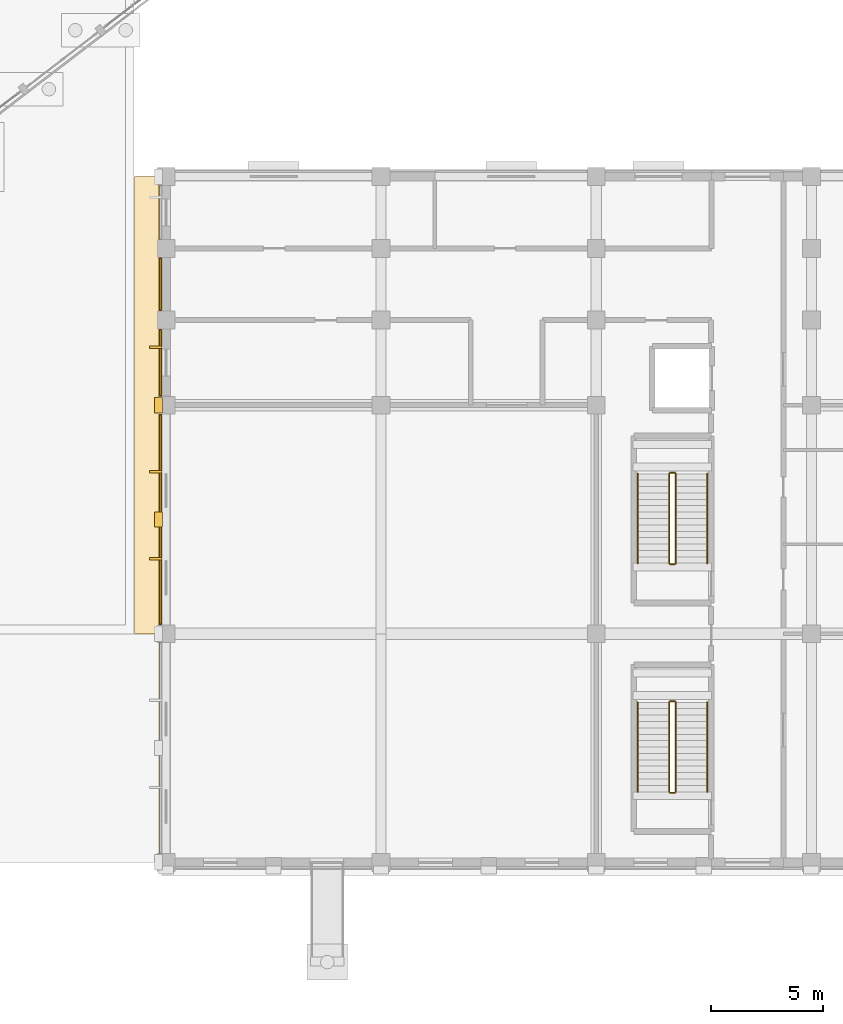
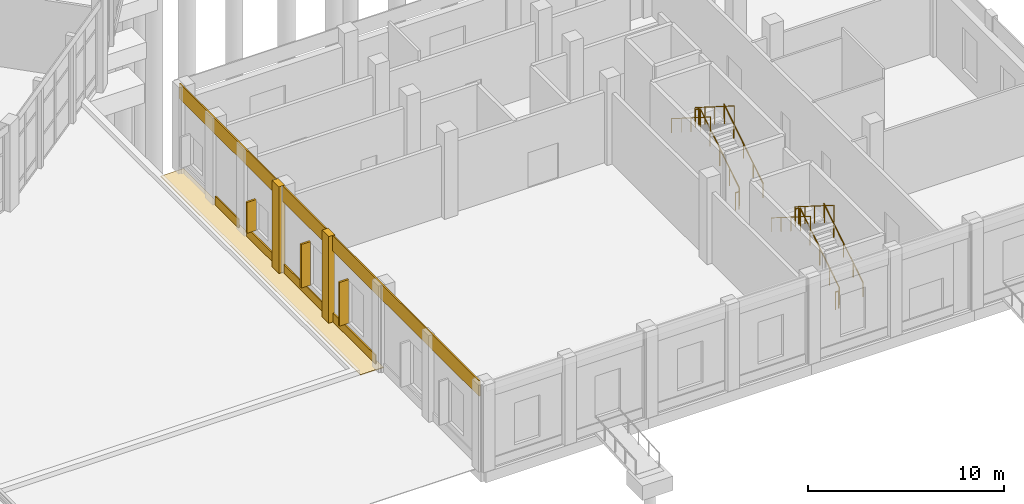
# One storey, part 133 of 137: 12 railings, 7 coverings, 3 shading devices.
"""IFC4 building model written with IfcOpenShell, lengths in metres."""

from ifc_helpers import new_model, si_unit, direction, frame, origin, origin_2d, place, context, subcontext, project, spatial, polyline, rectangle, circle, outline, extrude, material, layer, layer_set, type_object, element, save


model = new_model("IFC4")

# Units and contexts
model_context = context("Model", 3, precision=1e-05, world=origin(), true_north=direction((0.0, 1.0)))
body_context = subcontext(model_context, "Body", "Model", "MODEL_VIEW")
ifc_project = project(units=[si_unit("LENGTHUNIT", "METRE"), si_unit("AREAUNIT", "SQUARE_METRE"), si_unit("VOLUMEUNIT", "CUBIC_METRE"), si_unit("PLANEANGLEUNIT", "RADIAN"), si_unit("MASSUNIT", "GRAM", prefix="KILO")], contexts=[model_context])

# Site, building, storey
site_placement = place(None, origin())
site = spatial("IfcSite", under=ifc_project, at=site_placement, CompositionType="ELEMENT")
building_placement = place(site_placement, origin())
building = spatial("IfcBuilding", under=site, at=building_placement, Name="Vondelvale Polytechnic", CompositionType="ELEMENT")
storey_placement = place(building_placement, origin())
storey = spatial("IfcBuildingStorey", under=building, at=storey_placement, Name="L00", CompositionType="ELEMENT", Elevation=0.0)

# Coverings
ifc_material_1 = material(Name="Malmsbury bluestone ashlar stone masonry", Category="masonry")
ifc_layer_1 = layer(ifc_material_1, 0.080078125)
ifc_layer_set_1 = layer_set([ifc_layer_1], Name="COV-BLUESTONE-PLINTH")
covering_type_1 = type_object("IfcCoveringType", Name="COV-BLUESTONE-PLINTH", PredefinedType="CLADDING", material=ifc_layer_set_1)
covering_1_placement = place(storey_placement, frame((134.139892578125, 15.300048828125, 4.43994140625), z_axis=(0.0, 0.0, 1.0), x_axis=(0.0, 1.0, 0.0)))
element("IfcCovering", 1, at=covering_1_placement, inside=storey, type_object=covering_type_1, Name="L00 exterior masonry spandrel band", PredefinedType="CLADDING", context=body_context, shape_type="SweptSolid", body=[
    extrude(rectangle(XDim=30.60009765625, YDim=0.080078125, at=origin_2d()), origin(), (0.0, 0.0, 1.0), 0.9599609375),
])
covering_2_placement = place(storey_placement, frame((134.1640625, 15.300048828125, 0.0), z_axis=(0.0, 0.0, 1.0), x_axis=(0.0, 1.0, 0.0)))
element("IfcCovering", 2, at=covering_2_placement, inside=storey, type_object=covering_type_1, Name="L00 exterior corbelled masonry relief band", PredefinedType="CLADDING", context=body_context, shape_type="SweptSolid", body=[
    extrude(rectangle(XDim=9.337890625, YDim=0.080078125, at=origin_2d()), origin(), (0.0, 0.0, 1.0), 0.550048828125),
])
covering_3_placement = place(storey_placement, frame((134.1640625, 22.300048828125, 0.0), z_axis=(0.0, 0.0, 1.0), x_axis=(0.0, 1.0, 0.0)))
element("IfcCovering", 3, at=covering_3_placement, inside=storey, type_object=covering_type_1, Name="L00 exterior corbelled masonry relief band", PredefinedType="CLADDING", context=body_context, shape_type="SweptSolid", body=[
    extrude(rectangle(XDim=2.93798828125, YDim=0.080078125, at=origin_2d()), origin(), (0.0, 0.0, 1.0), 0.550048828125),
])
covering_4_placement = place(storey_placement, frame((134.1640625, 25.800048828125, 0.0), z_axis=(0.0, 0.0, 1.0), x_axis=(0.0, 1.0, 0.0)))
element("IfcCovering", 4, at=covering_4_placement, inside=storey, type_object=covering_type_1, Name="L00 exterior corbelled masonry relief band", PredefinedType="CLADDING", context=body_context, shape_type="SweptSolid", body=[
    extrude(rectangle(XDim=2.337890625, YDim=0.080078125, at=origin_2d()), origin(), (0.0, 0.0, 1.0), 0.550048828125),
])
for number, where, z_axis, x_axis, name in (
    (5, (134.06005859375, 15.300048828125, 0.0), (0.0, 0.0, 1.0), (1.0, 0.0, 0.0), "L00 Lecture wing giant-order pilaster W"),
    (6, (134.06005859375, 20.39990234375, 0.0), (0.0, 0.0, 1.0), (1.0, 0.0, 0.0), "L00 Lecture wing giant-order pilaster W"),
):
    element("IfcCovering", number, at=place(storey_placement, frame(where, z_axis=z_axis, x_axis=x_axis)), inside=storey, type_object=covering_type_1, Name=name, PredefinedType="CLADDING", context=body_context, shape_type="SweptSolid", body=[
        extrude(rectangle(XDim=0.360107421875, YDim=0.679931640625, at=origin_2d()), origin(), (0.0, 0.0, 1.0), 5.39990234375),
    ])
ifc_layer_2 = layer(ifc_material_1, 0.050048828125)
ifc_layer_set_2 = layer_set([ifc_layer_2], Name="COV-COURT-PAVING")
covering_type_2 = type_object("IfcCoveringType", Name="COV-COURT-PAVING", PredefinedType="USERDEFINED", material=ifc_layer_set_2)
covering_5_placement = place(storey_placement, frame((0.0, 0.0, -0.050048828125)))
element("IfcCovering", 7, at=covering_5_placement, inside=storey, type_object=covering_type_2, Name="Civic forecourt bluestone esplanade (WLK-E)", ObjectType="PAVING", PredefinedType="USERDEFINED", context=body_context, shape_type="SweptSolid", body=[
    extrude(outline(polyline([(133.0, 10.179931640625), (134.35009765625, 10.179931640625), (134.35009765625, 30.60009765625), (133.0, 30.60009765625), (133.0, 10.179931640625)])), origin(), (0.0, 0.0, 1.0), 0.050048828125),
])

# Railings
ifc_material_2 = material(Name="Brushed architectural stainless and zinc-coated metal")
ifc_layer_3 = layer(ifc_material_2, 0.050048828125)
ifc_layer_set_3 = layer_set([ifc_layer_3], Name="RL-STAIR-GUARD")
railing_type_1 = type_object("IfcRailingType", Name="RL-STAIR-GUARD", PredefinedType="GUARDRAIL", material=ifc_layer_set_3)
railing_1_placement = place(storey_placement, frame((157.14990234375, 3.14990234375, 0.179931640625)))
element("IfcRailing", 8, at=railing_1_placement, inside=storey, type_object=railing_type_1, Name="L00 ST-06 stair guard 1", PredefinedType="GUARDRAIL", context=body_context, shape_type="SweptSolid", body=[
    extrude(circle(Radius=0.02392578125, at=origin_2d()), frame((0.0, 0.0, 1.076171875), z_axis=(0.0, 0.845486444383, 0.533996884227), x_axis=(-1.0, 0.0, 0.0)), (0.0, 0.0, 1.0), 4.71923828125),
    extrude(circle(Radius=0.02099609375, at=origin_2d()), origin(), (0.0, 0.0, 1.0), 1.052001953125),
    extrude(circle(Radius=0.02099609375, at=origin_2d()), frame((0.0, 0.99755859375, 0.6298828125)), (0.0, 0.0, 1.0), 1.052001953125),
    extrude(circle(Radius=0.02099609375, at=origin_2d()), frame((0.0, 1.9951171875, 1.260009765625)), (0.0, 0.0, 1.0), 1.052001953125),
    extrude(circle(Radius=0.02099609375, at=origin_2d()), frame((0.0, 2.992431640625, 1.89013671875)), (0.0, 0.0, 1.0), 1.052001953125),
    extrude(circle(Radius=0.02099609375, at=origin_2d()), frame((0.0, 3.989990234375, 2.52001953125)), (0.0, 0.0, 1.0), 1.052001953125),
])
railing_2_placement = place(storey_placement, frame((157.10009765625, 7.18994140625, 2.699951171875)))
element("IfcRailing", 9, at=railing_2_placement, inside=storey, type_object=railing_type_1, Name="L00 ST-06 stair guard 2", PredefinedType="GUARDRAIL", context=body_context, shape_type="SweptSolid", body=[
    extrude(circle(Radius=0.02392578125, at=origin_2d()), frame((0.0, 0.0, 1.076171875), z_axis=(-1.0, 0.0, 0.0), x_axis=(0.0, -1.0, 0.0)), (0.0, 0.0, 1.0), 0.2001953125),
    extrude(circle(Radius=0.02099609375, at=origin_2d()), origin(), (0.0, 0.0, 1.0), 1.052001953125),
    extrude(circle(Radius=0.02099609375, at=origin_2d()), frame((-0.2001953125, 0.0, 0.0)), (0.0, 0.0, 1.0), 1.052001953125),
])
railing_3_placement = place(storey_placement, frame((156.85009765625, 7.139892578125, 2.8798828125)))
element("IfcRailing", 10, at=railing_3_placement, inside=storey, type_object=railing_type_1, Name="L00 ST-06 stair guard 3", PredefinedType="GUARDRAIL", context=body_context, shape_type="SweptSolid", body=[
    extrude(circle(Radius=0.02392578125, at=origin_2d()), frame((0.0, 0.0, 1.076171875), z_axis=(0.0, -0.845486444383, 0.533996884227), x_axis=(1.0, 0.0, 0.0)), (0.0, 0.0, 1.0), 4.71923828125),
    extrude(circle(Radius=0.02099609375, at=origin_2d()), origin(), (0.0, 0.0, 1.0), 1.052001953125),
    extrude(circle(Radius=0.02099609375, at=origin_2d()), frame((0.0, -0.99755859375, 0.6298828125)), (0.0, 0.0, 1.0), 1.052001953125),
    extrude(circle(Radius=0.02099609375, at=origin_2d()), frame((0.0, -1.9951171875, 1.260009765625)), (0.0, 0.0, 1.0), 1.052001953125),
    extrude(circle(Radius=0.02099609375, at=origin_2d()), frame((0.0, -2.992431640625, 1.89013671875)), (0.0, 0.0, 1.0), 1.052001953125),
    extrude(circle(Radius=0.02099609375, at=origin_2d()), frame((0.0, -3.989990234375, 2.52001953125)), (0.0, 0.0, 1.0), 1.052001953125),
])
railing_4_placement = place(storey_placement, frame((157.10009765625, 3.10009765625, 0.0)))
element("IfcRailing", 11, at=railing_4_placement, inside=storey, type_object=railing_type_1, Name="L00 ST-06 stair guard 4", PredefinedType="GUARDRAIL", context=body_context, shape_type="SweptSolid", body=[
    extrude(circle(Radius=0.02392578125, at=origin_2d()), frame((0.0, 0.0, 1.076171875), z_axis=(-1.0, 0.0, 0.0), x_axis=(0.0, -1.0, 0.0)), (0.0, 0.0, 1.0), 0.2001953125),
    extrude(circle(Radius=0.02099609375, at=origin_2d()), origin(), (0.0, 0.0, 1.0), 1.052001953125),
    extrude(circle(Radius=0.02099609375, at=origin_2d()), frame((-0.2001953125, 0.0, 0.0)), (0.0, 0.0, 1.0), 1.052001953125),
])
railing_5_placement = place(storey_placement, frame((157.14990234375, 13.35009765625, 0.179931640625)))
element("IfcRailing", 12, at=railing_5_placement, inside=storey, type_object=railing_type_1, Name="L00 ST-07 stair guard 1", PredefinedType="GUARDRAIL", context=body_context, shape_type="SweptSolid", body=[
    extrude(circle(Radius=0.02392578125, at=origin_2d()), frame((0.0, 0.0, 1.076171875), z_axis=(0.0, 0.845486444383, 0.533996884227), x_axis=(-1.0, 0.0, 0.0)), (0.0, 0.0, 1.0), 4.71923828125),
    extrude(circle(Radius=0.02099609375, at=origin_2d()), origin(), (0.0, 0.0, 1.0), 1.052001953125),
    extrude(circle(Radius=0.02099609375, at=origin_2d()), frame((0.0, 0.99755859375, 0.6298828125)), (0.0, 0.0, 1.0), 1.052001953125),
    extrude(circle(Radius=0.02099609375, at=origin_2d()), frame((0.0, 1.9951171875, 1.260009765625)), (0.0, 0.0, 1.0), 1.052001953125),
    extrude(circle(Radius=0.02099609375, at=origin_2d()), frame((0.0, 2.992431640625, 1.89013671875)), (0.0, 0.0, 1.0), 1.052001953125),
    extrude(circle(Radius=0.02099609375, at=origin_2d()), frame((0.0, 3.989990234375, 2.52001953125)), (0.0, 0.0, 1.0), 1.052001953125),
])
railing_6_placement = place(storey_placement, frame((157.10009765625, 17.389892578125, 2.699951171875)))
element("IfcRailing", 13, at=railing_6_placement, inside=storey, type_object=railing_type_1, Name="L00 ST-07 stair guard 2", PredefinedType="GUARDRAIL", context=body_context, shape_type="SweptSolid", body=[
    extrude(circle(Radius=0.02392578125, at=origin_2d()), frame((0.0, 0.0, 1.076171875), z_axis=(-1.0, 0.0, 0.0), x_axis=(0.0, -1.0, 0.0)), (0.0, 0.0, 1.0), 0.2001953125),
    extrude(circle(Radius=0.02099609375, at=origin_2d()), origin(), (0.0, 0.0, 1.0), 1.052001953125),
    extrude(circle(Radius=0.02099609375, at=origin_2d()), frame((-0.2001953125, 0.0, 0.0)), (0.0, 0.0, 1.0), 1.052001953125),
])
railing_7_placement = place(storey_placement, frame((156.85009765625, 17.340087890625, 2.8798828125)))
element("IfcRailing", 14, at=railing_7_placement, inside=storey, type_object=railing_type_1, Name="L00 ST-07 stair guard 3", PredefinedType="GUARDRAIL", context=body_context, shape_type="SweptSolid", body=[
    extrude(circle(Radius=0.02392578125, at=origin_2d()), frame((0.0, 0.0, 1.076171875), z_axis=(0.0, -0.845486444383, 0.533996884227), x_axis=(1.0, 0.0, 0.0)), (0.0, 0.0, 1.0), 4.71923828125),
    extrude(circle(Radius=0.02099609375, at=origin_2d()), origin(), (0.0, 0.0, 1.0), 1.052001953125),
    extrude(circle(Radius=0.02099609375, at=origin_2d()), frame((0.0, -0.99755859375, 0.6298828125)), (0.0, 0.0, 1.0), 1.052001953125),
    extrude(circle(Radius=0.02099609375, at=origin_2d()), frame((0.0, -1.9951171875, 1.260009765625)), (0.0, 0.0, 1.0), 1.052001953125),
    extrude(circle(Radius=0.02099609375, at=origin_2d()), frame((0.0, -2.992431640625, 1.89013671875)), (0.0, 0.0, 1.0), 1.052001953125),
    extrude(circle(Radius=0.02099609375, at=origin_2d()), frame((0.0, -3.989990234375, 2.52001953125)), (0.0, 0.0, 1.0), 1.052001953125),
])
railing_8_placement = place(storey_placement, frame((157.10009765625, 13.300048828125, 0.0)))
element("IfcRailing", 15, at=railing_8_placement, inside=storey, type_object=railing_type_1, Name="L00 ST-07 stair guard 4", PredefinedType="GUARDRAIL", context=body_context, shape_type="SweptSolid", body=[
    extrude(circle(Radius=0.02392578125, at=origin_2d()), frame((0.0, 0.0, 1.076171875), z_axis=(-1.0, 0.0, 0.0), x_axis=(0.0, -1.0, 0.0)), (0.0, 0.0, 1.0), 0.2001953125),
    extrude(circle(Radius=0.02099609375, at=origin_2d()), origin(), (0.0, 0.0, 1.0), 1.052001953125),
    extrude(circle(Radius=0.02099609375, at=origin_2d()), frame((-0.2001953125, 0.0, 0.0)), (0.0, 0.0, 1.0), 1.052001953125),
])
ifc_layer_4 = layer(ifc_material_2, 0.048095703125)
ifc_layer_set_4 = layer_set([ifc_layer_4], Name="RL-STAIR-HANDRAIL")
railing_type_2 = type_object("IfcRailingType", Name="RL-STAIR-HANDRAIL", PredefinedType="HANDRAIL", material=ifc_layer_set_4)
railing_9_placement = place(storey_placement, frame((158.550048828125, 3.14990234375, 0.179931640625)))
element("IfcRailing", 16, at=railing_9_placement, inside=storey, type_object=railing_type_2, Name="L00 ST-06 stair handrail 1", PredefinedType="HANDRAIL", context=body_context, shape_type="SweptSolid", body=[
    extrude(circle(Radius=0.02392578125, at=origin_2d()), frame((0.0, 0.0, 0.8759765625), z_axis=(0.0, 0.845486444383, 0.533996884227), x_axis=(-1.0, 0.0, 0.0)), (0.0, 0.0, 1.0), 4.71923828125),
    extrude(circle(Radius=0.02099609375, at=origin_2d()), origin(), (0.0, 0.0, 1.0), 0.851806640625),
    extrude(circle(Radius=0.02099609375, at=origin_2d()), frame((0.0, 0.99755859375, 0.6298828125)), (0.0, 0.0, 1.0), 0.851806640625),
    extrude(circle(Radius=0.02099609375, at=origin_2d()), frame((0.0, 1.9951171875, 1.260009765625)), (0.0, 0.0, 1.0), 0.851806640625),
    extrude(circle(Radius=0.02099609375, at=origin_2d()), frame((0.0, 2.992431640625, 1.89013671875)), (0.0, 0.0, 1.0), 0.851806640625),
    extrude(circle(Radius=0.02099609375, at=origin_2d()), frame((0.0, 3.989990234375, 2.52001953125)), (0.0, 0.0, 1.0), 0.851806640625),
])
railing_10_placement = place(storey_placement, frame((155.449951171875, 7.139892578125, 2.8798828125)))
element("IfcRailing", 17, at=railing_10_placement, inside=storey, type_object=railing_type_2, Name="L00 ST-06 stair handrail 2", PredefinedType="HANDRAIL", context=body_context, shape_type="SweptSolid", body=[
    extrude(circle(Radius=0.02392578125, at=origin_2d()), frame((0.0, 0.0, 0.8759765625), z_axis=(0.0, -0.845486444383, 0.533996884227), x_axis=(1.0, 0.0, 0.0)), (0.0, 0.0, 1.0), 4.71923828125),
    extrude(circle(Radius=0.02099609375, at=origin_2d()), origin(), (0.0, 0.0, 1.0), 0.851806640625),
    extrude(circle(Radius=0.02099609375, at=origin_2d()), frame((0.0, -0.99755859375, 0.6298828125)), (0.0, 0.0, 1.0), 0.851806640625),
    extrude(circle(Radius=0.02099609375, at=origin_2d()), frame((0.0, -1.9951171875, 1.260009765625)), (0.0, 0.0, 1.0), 0.851806640625),
    extrude(circle(Radius=0.02099609375, at=origin_2d()), frame((0.0, -2.992431640625, 1.89013671875)), (0.0, 0.0, 1.0), 0.851806640625),
    extrude(circle(Radius=0.02099609375, at=origin_2d()), frame((0.0, -3.989990234375, 2.52001953125)), (0.0, 0.0, 1.0), 0.851806640625),
])
railing_11_placement = place(storey_placement, frame((158.550048828125, 13.35009765625, 0.179931640625)))
element("IfcRailing", 18, at=railing_11_placement, inside=storey, type_object=railing_type_2, Name="L00 ST-07 stair handrail 1", PredefinedType="HANDRAIL", context=body_context, shape_type="SweptSolid", body=[
    extrude(circle(Radius=0.02392578125, at=origin_2d()), frame((0.0, 0.0, 0.8759765625), z_axis=(0.0, 0.845486444383, 0.533996884227), x_axis=(-1.0, 0.0, 0.0)), (0.0, 0.0, 1.0), 4.71923828125),
    extrude(circle(Radius=0.02099609375, at=origin_2d()), origin(), (0.0, 0.0, 1.0), 0.851806640625),
    extrude(circle(Radius=0.02099609375, at=origin_2d()), frame((0.0, 0.99755859375, 0.6298828125)), (0.0, 0.0, 1.0), 0.851806640625),
    extrude(circle(Radius=0.02099609375, at=origin_2d()), frame((0.0, 1.9951171875, 1.260009765625)), (0.0, 0.0, 1.0), 0.851806640625),
    extrude(circle(Radius=0.02099609375, at=origin_2d()), frame((0.0, 2.992431640625, 1.89013671875)), (0.0, 0.0, 1.0), 0.851806640625),
    extrude(circle(Radius=0.02099609375, at=origin_2d()), frame((0.0, 3.989990234375, 2.52001953125)), (0.0, 0.0, 1.0), 0.851806640625),
])
railing_12_placement = place(storey_placement, frame((155.449951171875, 17.340087890625, 2.8798828125)))
element("IfcRailing", 19, at=railing_12_placement, inside=storey, type_object=railing_type_2, Name="L00 ST-07 stair handrail 2", PredefinedType="HANDRAIL", context=body_context, shape_type="SweptSolid", body=[
    extrude(circle(Radius=0.02392578125, at=origin_2d()), frame((0.0, 0.0, 0.8759765625), z_axis=(0.0, -0.845486444383, 0.533996884227), x_axis=(1.0, 0.0, 0.0)), (0.0, 0.0, 1.0), 4.71923828125),
    extrude(circle(Radius=0.02099609375, at=origin_2d()), origin(), (0.0, 0.0, 1.0), 0.851806640625),
    extrude(circle(Radius=0.02099609375, at=origin_2d()), frame((0.0, -0.99755859375, 0.6298828125)), (0.0, 0.0, 1.0), 0.851806640625),
    extrude(circle(Radius=0.02099609375, at=origin_2d()), frame((0.0, -1.9951171875, 1.260009765625)), (0.0, 0.0, 1.0), 0.851806640625),
    extrude(circle(Radius=0.02099609375, at=origin_2d()), frame((0.0, -2.992431640625, 1.89013671875)), (0.0, 0.0, 1.0), 0.851806640625),
    extrude(circle(Radius=0.02099609375, at=origin_2d()), frame((0.0, -3.989990234375, 2.52001953125)), (0.0, 0.0, 1.0), 0.851806640625),
])

# Shading devices
ifc_material_3 = material(Name="Kiln-fired architectural terracotta", Category="masonry")
shading_device_type = type_object("IfcShadingDeviceType", Name="SHD-TERRA-FIN-550", PredefinedType="JALOUSIE", material=ifc_material_3)
for number, where, z_axis, x_axis, name in (
    (20, (133.93994140625, 13.541015625, 0.7900390625), (0.0, 0.0, 1.0), (0.0, 1.0, 0.0), "L00 vertical terracotta solar fin"),
    (21, (133.93994140625, 17.44091796875, 0.7900390625), (0.0, 0.0, 1.0), (0.0, 1.0, 0.0), "L00 vertical terracotta solar fin"),
):
    element("IfcShadingDevice", number, at=place(storey_placement, frame(where, z_axis=z_axis, x_axis=x_axis)), inside=storey, type_object=shading_device_type, Name=name, PredefinedType="JALOUSIE", context=body_context, shape_type="SweptSolid", body=[
        extrude(rectangle(XDim=0.110107421875, YDim=0.550048828125, at=origin_2d()), origin(), (0.0, 0.0, 1.0), 2.719970703125),
    ])
shading_device_placement = place(storey_placement, frame((133.93994140625, 22.989990234375, 0.840087890625), z_axis=(0.0, 0.0, 1.0), x_axis=(0.0, 1.0, 0.0)))
element("IfcShadingDevice", 22, at=shading_device_placement, inside=storey, type_object=shading_device_type, Name="L00 vertical terracotta solar fin", PredefinedType="JALOUSIE", context=body_context, shape_type="SweptSolid", body=[
    extrude(rectangle(XDim=0.110107421875, YDim=0.550048828125, at=origin_2d()), origin(), (0.0, 0.0, 1.0), 1.919921875),
])

save(model, "model.ifc")
